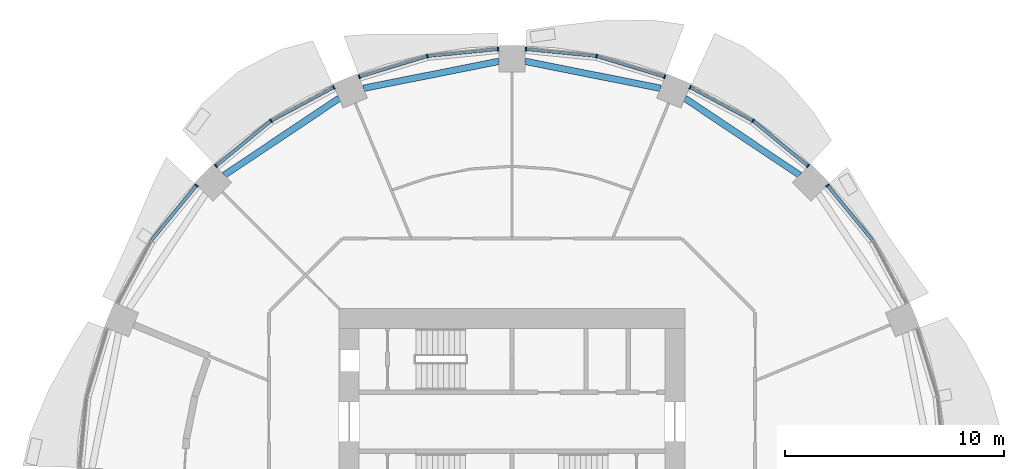
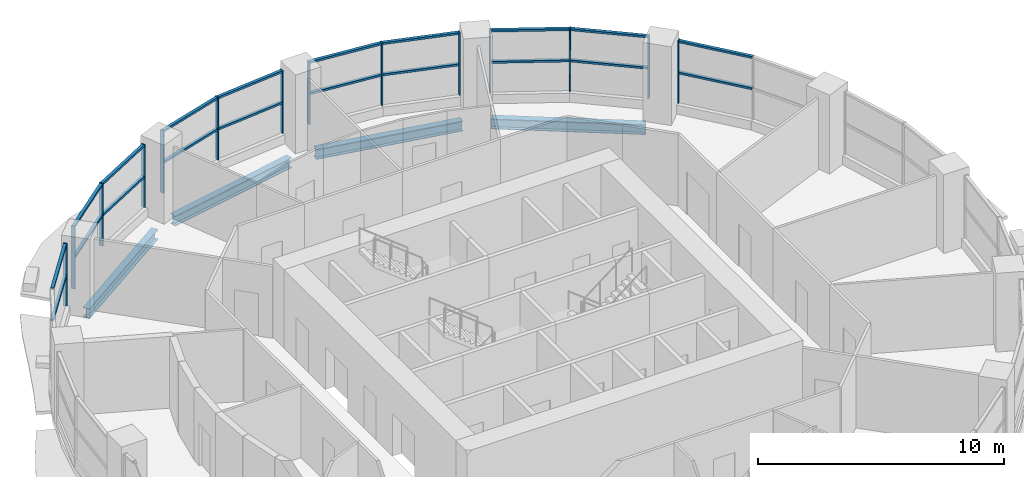
# One storey, part 5 of 15: 34 members, 4 beams, 6 elements without a shape of their own.
"""IFC4 building model written with IfcOpenShell, lengths in metres."""

import ifcopenshell
import ifcopenshell.guid

model = None  # the IFC model being written
_history = None  # IfcOwnerHistory: only IFC2X3 demands one
_inside = {}  # id of a spatial element -> (the spatial element, [elements in it])
_under = {}  # id of a project, library or spatial element -> (it, [spatial elements below it])
_declared = {}  # id of a project -> (the project, [libraries it declares])
_typed = {}  # id of a type object -> (the type object, [elements of that type])
_made_of = {}  # id of a material, layer set ... -> (it, [elements and type objects made of it])


def new_model(schema):
    """Start an empty IFC model of exactly this schema.

    Asked for "IFC4X3", IfcOpenShell would pick the latest addendum, in which some entities
    have other attributes; the version numbers below select the first issue.
    IFC2X3 requires an IfcOwnerHistory on every rooted entity: one is made here for all.
    """
    global model, _history
    if schema == "IFC4X3":
        model = ifcopenshell.file(schema_version=(4, 3, 0, 0))
    else:
        model = ifcopenshell.file(schema=schema)
    _inside.clear()
    _under.clear()
    _declared.clear()
    _typed.clear()
    _made_of.clear()
    _history = None
    if model.schema == "IFC2X3":
        org = make("IfcOrganization", Name="unknown")
        user = make(
            "IfcPersonAndOrganization",
            ThePerson=make("IfcPerson", FamilyName="unknown"),
            TheOrganization=org,
        )
        app = make(
            "IfcApplication",
            ApplicationDeveloper=org,
            Version="unknown",
            ApplicationFullName="unknown",
            ApplicationIdentifier="unknown",
        )
        _history = make(
            "IfcOwnerHistory",
            OwningUser=user,
            OwningApplication=app,
            ChangeAction="ADDED",
            CreationDate=0,
        )
    return model


def make(cls, **values):
    """One entity of the class cls with the attributes given. An attribute that is None is left unset."""
    return model.create_entity(
        cls, **{name: value for name, value in values.items() if value is not None}
    )


def rooted(cls, **values):
    """An entity with a GlobalId (a new one), such as an element, a storey or a relation."""
    return make(cls, GlobalId=ifcopenshell.guid.new(), OwnerHistory=_history, **values)


def si_unit(unit_type, name, prefix=None):
    """IfcSIUnit, for example si_unit("LENGTHUNIT", "METRE", prefix="MILLI")."""
    return make("IfcSIUnit", UnitType=unit_type, Prefix=prefix, Name=name)


def assignment(units):
    """IfcUnitAssignment: the units of a project."""
    return None if units is None else make("IfcUnitAssignment", Units=units)


def point(xyz):
    """IfcCartesianPoint."""
    return None if xyz is None else make("IfcCartesianPoint", Coordinates=xyz)


def direction(xyz):
    """IfcDirection."""
    return None if xyz is None else make("IfcDirection", DirectionRatios=xyz)


def frame(location, z_axis=None, x_axis=None):
    """IfcAxis2Placement3D, a coordinate frame: its origin and axes. An axis left out is left unset."""
    return make(
        "IfcAxis2Placement3D",
        Location=point(location),
        Axis=direction(z_axis),
        RefDirection=direction(x_axis),
    )


def frame_2d(location, x_axis=None):
    """IfcAxis2Placement2D, a coordinate frame in the plane: its origin and x axis."""
    return make(
        "IfcAxis2Placement2D", Location=point(location), RefDirection=direction(x_axis)
    )


def origin():
    """The frame at (0, 0, 0) with its axes left unset."""
    return frame((0.0, 0.0, 0.0))


def origin_2d():
    """The frame at (0, 0) in the plane with its x axis left unset."""
    return frame_2d((0.0, 0.0))


def place(relative_to, where):
    """IfcLocalPlacement: puts the frame where relative to a parent placement (None: the world)."""
    return make(
        "IfcLocalPlacement", PlacementRelTo=relative_to, RelativePlacement=where
    )


def context(
    kind, dimensions, precision=None, world=None, true_north=None, identifier=None
):
    """IfcGeometricRepresentationContext, for example the 3D "Model" context."""
    return make(
        "IfcGeometricRepresentationContext",
        ContextIdentifier=identifier,
        ContextType=kind,
        CoordinateSpaceDimension=dimensions,
        Precision=precision,
        WorldCoordinateSystem=world,
        TrueNorth=true_north,
    )


def subcontext(parent, identifier, kind, view, scale=None):
    """IfcGeometricRepresentationSubContext, for example "Body" below "Model"."""
    return make(
        "IfcGeometricRepresentationSubContext",
        ContextIdentifier=identifier,
        ContextType=kind,
        ParentContext=parent,
        TargetScale=scale,
        TargetView=view,
    )


def project(units=None, contexts=None):
    """IfcProject with its units and contexts."""
    return rooted(
        "IfcProject",
        Name="project",
        RepresentationContexts=contexts,
        UnitsInContext=assignment(units),
    )


def spatial(cls, under=None, at=None, **own):
    """A site, building, storey or space (cls), placed at a placement, below another one or the project."""
    s = rooted(cls, ObjectPlacement=at, **own)
    if under is not None:
        _under.setdefault(under.id(), (under, []))[1].append(s)
    return s


def profile(cls, at=None, kind="AREA", **sizes):
    """A parametric profile (cls). Its sizes go by their IFC names, for example OverallWidth=200.0."""
    return make(cls, ProfileType=kind, Position=at, **sizes)


def rectangle(**sizes):
    """IfcRectangleProfileDef."""
    return profile("IfcRectangleProfileDef", **sizes)


def i_section(**sizes):
    """IfcIShapeProfileDef."""
    return profile("IfcIShapeProfileDef", **sizes)


def extrude(swept, where, along, depth):
    """IfcExtrudedAreaSolid: the profile swept, set in the frame where, extruded along a direction by depth."""
    return make(
        "IfcExtrudedAreaSolid",
        SweptArea=swept,
        Position=where,
        ExtrudedDirection=direction(along),
        Depth=depth,
    )


def shape(context_of_items, identifier, shape_type, items):
    """IfcShapeRepresentation: the items that make up one representation, for example the "Body"."""
    return make(
        "IfcShapeRepresentation",
        ContextOfItems=context_of_items,
        RepresentationIdentifier=identifier,
        RepresentationType=shape_type,
        Items=items,
    )


def material(Name=None, Category=None):
    """IfcMaterial."""
    return make("IfcMaterial", Name=Name, Category=Category)


def material_profile(
    of_material, cross_section, Name=None, Category=None, Priority=None
):
    """IfcMaterialProfile: a cross section and its material."""
    return make(
        "IfcMaterialProfile",
        Name=Name,
        Material=of_material,
        Profile=cross_section,
        Priority=Priority,
        Category=Category,
    )


def profile_set(profiles, Name=None, composite=None):
    """IfcMaterialProfileSet."""
    return make(
        "IfcMaterialProfileSet",
        Name=Name,
        MaterialProfiles=profiles,
        CompositeProfile=composite,
    )


def made_of(thing, what):
    """Note that an element or type object is made of a material, layer set ...; save() writes the relation."""
    if what is not None:
        _made_of.setdefault(what.id(), (what, []))[1].append(thing)
    return thing


def type_object(cls, material=None, **own):
    """A type object (cls), such as IfcWallType, which elements share."""
    return made_of(rooted(cls, **own), material)


def element(
    cls,
    number,
    at=None,
    inside=None,
    cuts=None,
    type_object=None,
    material=None,
    context=None,
    identifier="Body",
    shape_type=None,
    held_by="IfcProductDefinitionShape",
    body=None,
    shapes=None,
    **own,
):
    """One element of the class cls, such as IfcWall. Its Tag is "e" and its number.

    at: its placement. inside: the storey or other place that contains it. cuts: it is an
    opening in that element (IfcRelVoidsElement). A single representation is given by context,
    identifier, shape_type and body (its items); several are given by shapes. held_by: the class
    of the entity that holds the representations. save() writes the other relations.
    """
    e = rooted(cls, Tag="e%d" % number, ObjectPlacement=at, **own)
    if body is not None:
        shapes = [shape(context, identifier, shape_type, body)]
    if shapes is not None:
        e.Representation = make(held_by, Representations=shapes)
    if inside is not None:
        _inside.setdefault(inside.id(), (inside, []))[1].append(e)
    if cuts is not None:
        rooted(
            "IfcRelVoidsElement", RelatingBuildingElement=cuts, RelatedOpeningElement=e
        )
    if type_object is not None:
        _typed.setdefault(type_object.id(), (type_object, []))[1].append(e)
    return made_of(e, material)


def aggregate(whole, parts):
    """IfcRelAggregates: a whole, such as a stair, and the parts it consists of."""
    return rooted("IfcRelAggregates", RelatingObject=whole, RelatedObjects=parts)


def save(model, path):
    """Write the relations noted so far, then the file.

    IfcRelAggregates (storeys below a building ...), IfcRelContainedInSpatialStructure (elements
    in a storey), IfcRelDefinesByType, IfcRelAssociatesMaterial and IfcRelDeclares: one each for
    every whole, place, type object, material and project.
    """
    for whole, parts in _under.values():
        aggregate(whole, parts)
    for where, things in _inside.values():
        rooted(
            "IfcRelContainedInSpatialStructure",
            RelatedElements=things,
            RelatingStructure=where,
        )
    for kind, things in _typed.values():
        rooted("IfcRelDefinesByType", RelatedObjects=things, RelatingType=kind)
    for what, things in _made_of.values():
        rooted("IfcRelAssociatesMaterial", RelatedObjects=things, RelatingMaterial=what)
    for by, libraries in _declared.values():
        rooted("IfcRelDeclares", RelatingContext=by, RelatedDefinitions=libraries)
    model.write(path)


model = new_model("IFC4")

# Units and contexts
model_context = context("Model", 3, precision=1e-05, world=origin(), true_north=direction((0.0, 1.0)))
body_context = subcontext(model_context, "Body", "Model", "MODEL_VIEW")
ifc_project = project(units=[si_unit("LENGTHUNIT", "METRE"), si_unit("AREAUNIT", "SQUARE_METRE"), si_unit("VOLUMEUNIT", "CUBIC_METRE"), si_unit("PLANEANGLEUNIT", "RADIAN"), si_unit("MASSUNIT", "GRAM", prefix="KILO")], contexts=[model_context])

# Site, building, storey
site_placement = place(None, origin())
site = spatial("IfcSite", under=ifc_project, at=site_placement, CompositionType="ELEMENT")
building_placement = place(site_placement, origin())
building = spatial("IfcBuilding", under=site, at=building_placement, Name="Polderwave Tower", CompositionType="ELEMENT")
storey_placement = place(building_placement, frame((0.0, 0.0, 18.5)))
storey = spatial("IfcBuildingStorey", under=building, at=storey_placement, Name="L04", CompositionType="ELEMENT", Elevation=18.5)

# Beams
ifc_material_1 = material(Name="Steel S355", Category="steel")
ifc_material_profile_1 = material_profile(ifc_material_1, i_section(OverallWidth=0.300048828125, OverallDepth=0.5, WebThickness=0.014404296875, FlangeThickness=0.028076171875, at=origin_2d()), Name="HE 500 B")
ifc_profile_set_1 = profile_set([ifc_material_profile_1], Name="Steel S355")
beam_type = type_object("IfcBeamType", Name="RING BEAM HE 500 B", PredefinedType="BEAM", material=ifc_profile_set_1)
for number, where, z_axis, x_axis, name in (
    (1, (13.110107421875, 13.958740234375, -0.64990234375), (-0.831458775767, 0.555586450698, 0.0), (-0.555586450698, -0.831458775767, 0.0), "ST-RB-L04-02"),
    (2, (6.7705078125, 17.913330078125, -0.64990234375), (-0.980787590871, 0.195078706153, 0.0), (-0.195078706153, -0.980787590871, 0.0), "ST-RB-L04-03"),
    (3, (-0.60009765625, 19.140625, -0.64990234375), (-0.980787590871, -0.195078706153, 0.0), (0.195078706153, -0.980787590871, 0.0), "ST-RB-L04-04"),
    (4, (-7.879150390625, 17.4541015625, -0.64990234375), (-0.831458775767, -0.555586450698, 0.0), (0.555586450698, -0.831458775767, 0.0), "ST-RB-L04-05"),
):
    element("IfcBeam", number, at=place(storey_placement, frame(where, z_axis=z_axis, x_axis=x_axis)), inside=storey, type_object=beam_type, Name=name, PredefinedType="BEAM", context=body_context, shape_type="SweptSolid", body=[
        extrude(i_section(OverallWidth=0.300048828125, OverallDepth=0.5, WebThickness=0.014404296875, FlangeThickness=0.028076171875, at=origin_2d()), origin(), (0.0, 0.0, 1.0), 6.291259765625),
    ])

# Curtain wall, member
ifc_material_2 = material(Name="Aluminium 6063-T6 and glass", Category="aluminium")
curtain_wall_type = type_object("IfcCurtainWallType", Name="Shopfront glazing wall", PredefinedType="NOTDEFINED", material=ifc_material_2)
curtain_wall_1_placement = place(storey_placement, origin())
curtain_wall_1 = element("IfcCurtainWall", 5, at=curtain_wall_1_placement, inside=storey, type_object=curtain_wall_type, Name="CW1 L04 01", PredefinedType="NOTDEFINED")
ifc_material_3 = material(Name="Aluminium 6063-T6", Category="aluminium")
ifc_material_profile_2 = material_profile(ifc_material_3, rectangle(XDim=0.179931640625, YDim=0.06005859375, at=origin_2d()), Name="AL 60x180")
ifc_profile_set_2 = profile_set([ifc_material_profile_2], Name="Aluminium 6063-T6")
member_type_1 = type_object("IfcMemberType", Name="Shopfront glazing mullion 60x180", PredefinedType="MULLION", material=ifc_profile_set_2)
member_1_placement = place(storey_placement, frame((14.3740234375, 13.48291015625, 0.449951171875), z_axis=(0.0, 0.0, 1.0), x_axis=(-0.772961733177, -0.634452645234, 0.0)))
member_1 = element("IfcMember", 6, at=member_1_placement, type_object=member_type_1, Name="CW1 mullion 3", PredefinedType="MULLION", context=body_context, shape_type="SweptSolid", body=[
    extrude(rectangle(XDim=0.179931640625, YDim=0.06005859375, at=origin_2d()), origin(), (0.0, 0.0, 1.0), 3.10009765625),
])

# Curtain wall, members
curtain_wall_2_placement = place(storey_placement, origin())
curtain_wall_2 = element("IfcCurtainWall", 7, at=curtain_wall_2_placement, inside=storey, type_object=curtain_wall_type, Name="CW1 L04 02", PredefinedType="NOTDEFINED")
member_2_placement = place(storey_placement, frame((13.48291015625, 14.3740234375, 0.449951171875), z_axis=(0.0, 0.0, 1.0), x_axis=(-0.634452645234, -0.772961733177, 0.0)))
member_2 = element("IfcMember", 8, at=member_2_placement, type_object=member_type_1, Name="CW1 mullion 1", PredefinedType="MULLION", context=body_context, shape_type="SweptSolid", body=[
    extrude(rectangle(XDim=0.179931640625, YDim=0.06005859375, at=origin_2d()), origin(), (0.0, 0.0, 1.0), 3.10009765625),
])
member_3_placement = place(storey_placement, frame((10.97802734375, 16.429931640625, 0.449951171875), z_axis=(0.0, 0.0, 1.0), x_axis=(-0.555654399091, -0.83141336817, 0.0)))
member_3 = element("IfcMember", 9, at=member_3_placement, type_object=member_type_1, Name="CW1 mullion 2", PredefinedType="MULLION", context=body_context, shape_type="SweptSolid", body=[
    extrude(rectangle(XDim=0.179931640625, YDim=0.06005859375, at=origin_2d()), origin(), (0.0, 0.0, 1.0), 3.10009765625),
])
member_4_placement = place(storey_placement, frame((8.12060546875, 17.9580078125, 0.449951171875), z_axis=(0.0, 0.0, 1.0), x_axis=(-0.471509097737, -0.881861196987, 0.0)))
member_4 = element("IfcMember", 10, at=member_4_placement, type_object=member_type_1, Name="CW1 mullion 3", PredefinedType="MULLION", context=body_context, shape_type="SweptSolid", body=[
    extrude(rectangle(XDim=0.179931640625, YDim=0.06005859375, at=origin_2d()), origin(), (0.0, 0.0, 1.0), 3.10009765625),
])

curtain_wall_3_placement = place(storey_placement, origin())
curtain_wall_3 = element("IfcCurtainWall", 11, at=curtain_wall_3_placement, inside=storey, type_object=curtain_wall_type, Name="CW1 L04 03", PredefinedType="NOTDEFINED")
member_5_placement = place(storey_placement, frame((6.956298828125, 18.439697265625, 0.449951171875), z_axis=(0.0, 0.0, 1.0), x_axis=(-0.290151060348, -0.956980857791, 0.0)))
member_5 = element("IfcMember", 12, at=member_5_placement, type_object=member_type_1, Name="CW1 mullion 1", PredefinedType="MULLION", context=body_context, shape_type="SweptSolid", body=[
    extrude(rectangle(XDim=0.179931640625, YDim=0.06005859375, at=origin_2d()), origin(), (0.0, 0.0, 1.0), 3.10009765625),
])
member_6_placement = place(storey_placement, frame((3.85498046875, 19.3798828125, 0.449951171875), z_axis=(0.0, 0.0, 1.0), x_axis=(-0.195083474838, -0.980786642367, 0.0)))
member_6 = element("IfcMember", 13, at=member_6_placement, type_object=member_type_1, Name="CW1 mullion 2", PredefinedType="MULLION", context=body_context, shape_type="SweptSolid", body=[
    extrude(rectangle(XDim=0.179931640625, YDim=0.06005859375, at=origin_2d()), origin(), (0.0, 0.0, 1.0), 3.10009765625),
])
member_7_placement = place(storey_placement, frame((0.6298828125, 19.697998046875, 0.449951171875), z_axis=(0.0, 0.0, 1.0), x_axis=(-0.098142198156, -0.995172401617, 0.0)))
member_7 = element("IfcMember", 14, at=member_7_placement, type_object=member_type_1, Name="CW1 mullion 3", PredefinedType="MULLION", context=body_context, shape_type="SweptSolid", body=[
    extrude(rectangle(XDim=0.179931640625, YDim=0.06005859375, at=origin_2d()), origin(), (0.0, 0.0, 1.0), 3.10009765625),
])

curtain_wall_4_placement = place(storey_placement, origin())
curtain_wall_4 = element("IfcCurtainWall", 15, at=curtain_wall_4_placement, inside=storey, type_object=curtain_wall_type, Name="CW1 L04 04", PredefinedType="NOTDEFINED")
member_8_placement = place(storey_placement, frame((-0.6298828125, 19.697998046875, 0.449951171875), z_axis=(0.0, 0.0, 1.0), x_axis=(0.098142198156, -0.995172401617, 0.0)))
member_8 = element("IfcMember", 16, at=member_8_placement, type_object=member_type_1, Name="CW1 mullion 1", PredefinedType="MULLION", context=body_context, shape_type="SweptSolid", body=[
    extrude(rectangle(XDim=0.179931640625, YDim=0.06005859375, at=origin_2d()), origin(), (0.0, 0.0, 1.0), 3.10009765625),
])
member_9_placement = place(storey_placement, frame((-3.85498046875, 19.3798828125, 0.449951171875), z_axis=(0.0, 0.0, 1.0), x_axis=(0.195083474838, -0.980786642367, 0.0)))
member_9 = element("IfcMember", 17, at=member_9_placement, type_object=member_type_1, Name="CW1 mullion 2", PredefinedType="MULLION", context=body_context, shape_type="SweptSolid", body=[
    extrude(rectangle(XDim=0.179931640625, YDim=0.06005859375, at=origin_2d()), origin(), (0.0, 0.0, 1.0), 3.10009765625),
])
member_10_placement = place(storey_placement, frame((-6.956298828125, 18.439697265625, 0.449951171875), z_axis=(0.0, 0.0, 1.0), x_axis=(0.290151060348, -0.956980857791, 0.0)))
member_10 = element("IfcMember", 18, at=member_10_placement, type_object=member_type_1, Name="CW1 mullion 3", PredefinedType="MULLION", context=body_context, shape_type="SweptSolid", body=[
    extrude(rectangle(XDim=0.179931640625, YDim=0.06005859375, at=origin_2d()), origin(), (0.0, 0.0, 1.0), 3.10009765625),
])

curtain_wall_5_placement = place(storey_placement, origin())
curtain_wall_5 = element("IfcCurtainWall", 19, at=curtain_wall_5_placement, inside=storey, type_object=curtain_wall_type, Name="CW1 L04 05", PredefinedType="NOTDEFINED")
member_11_placement = place(storey_placement, frame((-8.12060546875, 17.9580078125, 0.449951171875), z_axis=(0.0, 0.0, 1.0), x_axis=(0.471509097737, -0.881861196987, 0.0)))
member_11 = element("IfcMember", 20, at=member_11_placement, type_object=member_type_1, Name="CW1 mullion 1", PredefinedType="MULLION", context=body_context, shape_type="SweptSolid", body=[
    extrude(rectangle(XDim=0.179931640625, YDim=0.06005859375, at=origin_2d()), origin(), (0.0, 0.0, 1.0), 3.10009765625),
])
member_12_placement = place(storey_placement, frame((-10.97802734375, 16.429931640625, 0.449951171875), z_axis=(0.0, 0.0, 1.0), x_axis=(0.555654399091, -0.83141336817, 0.0)))
member_12 = element("IfcMember", 21, at=member_12_placement, type_object=member_type_1, Name="CW1 mullion 2", PredefinedType="MULLION", context=body_context, shape_type="SweptSolid", body=[
    extrude(rectangle(XDim=0.179931640625, YDim=0.06005859375, at=origin_2d()), origin(), (0.0, 0.0, 1.0), 3.10009765625),
])
member_13_placement = place(storey_placement, frame((-13.48291015625, 14.3740234375, 0.449951171875), z_axis=(0.0, 0.0, 1.0), x_axis=(0.634452645234, -0.772961733177, 0.0)))
member_13 = element("IfcMember", 22, at=member_13_placement, type_object=member_type_1, Name="CW1 mullion 3", PredefinedType="MULLION", context=body_context, shape_type="SweptSolid", body=[
    extrude(rectangle(XDim=0.179931640625, YDim=0.06005859375, at=origin_2d()), origin(), (0.0, 0.0, 1.0), 3.10009765625),
])

# Curtain wall, member
curtain_wall_6_placement = place(storey_placement, origin())
curtain_wall_6 = element("IfcCurtainWall", 23, at=curtain_wall_6_placement, inside=storey, type_object=curtain_wall_type, Name="CW1 L04 06", PredefinedType="NOTDEFINED")
member_14_placement = place(storey_placement, frame((-14.3740234375, 13.48291015625, 0.449951171875), z_axis=(0.0, 0.0, 1.0), x_axis=(0.772961733177, -0.634452645234, 0.0)))
member_14 = element("IfcMember", 24, at=member_14_placement, type_object=member_type_1, Name="CW1 mullion 1", PredefinedType="MULLION", context=body_context, shape_type="SweptSolid", body=[
    extrude(rectangle(XDim=0.179931640625, YDim=0.06005859375, at=origin_2d()), origin(), (0.0, 0.0, 1.0), 3.10009765625),
])

# Member
ifc_material_profile_3 = material_profile(ifc_material_3, rectangle(XDim=0.139892578125, YDim=0.10009765625, at=origin_2d()), Name="AL 100x140")
ifc_profile_set_3 = profile_set([ifc_material_profile_3], Name="Aluminium 6063-T6")
member_type_2 = type_object("IfcMemberType", Name="Shopfront glazing transom 100x140", PredefinedType="USERDEFINED", material=ifc_profile_set_3)
member_15_placement = place(storey_placement, frame((16.410888671875, 11.001220703125, 1.949951171875), z_axis=(-0.634428353152, 0.772981671656, 0.0), x_axis=(-0.772981671656, -0.634428353152, 0.0)))
member_15 = element("IfcMember", 25, at=member_15_placement, type_object=member_type_2, Name="CW1 transom 3", ObjectType="TRANSOM", PredefinedType="USERDEFINED", context=body_context, shape_type="SweptSolid", body=[
    extrude(rectangle(XDim=0.139892578125, YDim=0.10009765625, at=origin_2d()), origin(), (0.0, 0.0, 1.0), 3.180419921875),
])

member_16_placement = place(storey_placement, frame((16.410888671875, 11.001220703125, 3.5), z_axis=(-0.634428353152, 0.772981671656, 0.0), x_axis=(-0.772981671656, -0.634428353152, 0.0)))
member_16 = element("IfcMember", 26, at=member_16_placement, type_object=member_type_2, Name="CW1 transom 4", ObjectType="TRANSOM", PredefinedType="USERDEFINED", context=body_context, shape_type="SweptSolid", body=[
    extrude(rectangle(XDim=0.139892578125, YDim=0.10009765625, at=origin_2d()), origin(), (0.0, 0.0, 1.0), 3.180419921875),
])

aggregate(curtain_wall_1, [member_1, member_15, member_16])

member_17_placement = place(storey_placement, frame((13.459716796875, 14.39306640625, 1.949951171875), z_axis=(-0.772981671656, 0.634428353152, 0.0), x_axis=(-0.634428353152, -0.772981671656, 0.0)))
member_17 = element("IfcMember", 27, at=member_17_placement, type_object=member_type_2, Name="CW1 transom 1", ObjectType="TRANSOM", PredefinedType="USERDEFINED", context=body_context, shape_type="SweptSolid", body=[
    extrude(rectangle(XDim=0.139892578125, YDim=0.10009765625, at=origin_2d()), origin(), (0.0, 0.0, 1.0), 3.180419921875),
])

member_18_placement = place(storey_placement, frame((13.459716796875, 14.39306640625, 3.5), z_axis=(-0.772981671656, 0.634428353152, 0.0), x_axis=(-0.634428353152, -0.772981671656, 0.0)))
member_18 = element("IfcMember", 28, at=member_18_placement, type_object=member_type_2, Name="CW1 transom 2", ObjectType="TRANSOM", PredefinedType="USERDEFINED", context=body_context, shape_type="SweptSolid", body=[
    extrude(rectangle(XDim=0.139892578125, YDim=0.10009765625, at=origin_2d()), origin(), (0.0, 0.0, 1.0), 3.180419921875),
])

member_19_placement = place(storey_placement, frame((10.951416015625, 16.444091796875, 1.949951171875), z_axis=(-0.881855171225, 0.471520367517, 0.0), x_axis=(-0.471520367517, -0.881855171225, 0.0)))
member_19 = element("IfcMember", 29, at=member_19_placement, type_object=member_type_2, Name="CW1 transom 3", ObjectType="TRANSOM", PredefinedType="USERDEFINED", context=body_context, shape_type="SweptSolid", body=[
    extrude(rectangle(XDim=0.139892578125, YDim=0.10009765625, at=origin_2d()), origin(), (0.0, 0.0, 1.0), 3.18017578125),
])

member_20_placement = place(storey_placement, frame((10.951416015625, 16.444091796875, 3.5), z_axis=(-0.881855171225, 0.471520367517, 0.0), x_axis=(-0.471520367517, -0.881855171225, 0.0)))
member_20 = element("IfcMember", 30, at=member_20_placement, type_object=member_type_2, Name="CW1 transom 4", ObjectType="TRANSOM", PredefinedType="USERDEFINED", context=body_context, shape_type="SweptSolid", body=[
    extrude(rectangle(XDim=0.139892578125, YDim=0.10009765625, at=origin_2d()), origin(), (0.0, 0.0, 1.0), 3.18017578125),
])

aggregate(curtain_wall_2, [member_2, member_3, member_4, member_17, member_18, member_19, member_20])

member_21_placement = place(storey_placement, frame((6.927490234375, 18.448486328125, 1.949951171875), z_axis=(-0.956979201317, 0.290156523701, 0.0), x_axis=(-0.290156523701, -0.956979201317, 0.0)))
member_21 = element("IfcMember", 31, at=member_21_placement, type_object=member_type_2, Name="CW1 transom 1", ObjectType="TRANSOM", PredefinedType="USERDEFINED", context=body_context, shape_type="SweptSolid", body=[
    extrude(rectangle(XDim=0.139892578125, YDim=0.10009765625, at=origin_2d()), origin(), (0.0, 0.0, 1.0), 3.180419921875),
])

member_22_placement = place(storey_placement, frame((6.927490234375, 18.448486328125, 3.5), z_axis=(-0.956979201317, 0.290156523701, 0.0), x_axis=(-0.290156523701, -0.956979201317, 0.0)))
member_22 = element("IfcMember", 32, at=member_22_placement, type_object=member_type_2, Name="CW1 transom 2", ObjectType="TRANSOM", PredefinedType="USERDEFINED", context=body_context, shape_type="SweptSolid", body=[
    extrude(rectangle(XDim=0.139892578125, YDim=0.10009765625, at=origin_2d()), origin(), (0.0, 0.0, 1.0), 3.180419921875),
])

member_23_placement = place(storey_placement, frame((3.8251953125, 19.3828125, 1.949951171875), z_axis=(-0.995170037886, 0.098166163694, 0.0), x_axis=(-0.098166163694, -0.995170037886, 0.0)))
member_23 = element("IfcMember", 33, at=member_23_placement, type_object=member_type_2, Name="CW1 transom 3", ObjectType="TRANSOM", PredefinedType="USERDEFINED", context=body_context, shape_type="SweptSolid", body=[
    extrude(rectangle(XDim=0.139892578125, YDim=0.10009765625, at=origin_2d()), origin(), (0.0, 0.0, 1.0), 3.180908203125),
])

member_24_placement = place(storey_placement, frame((3.8251953125, 19.3828125, 3.5), z_axis=(-0.995170037886, 0.098166163694, 0.0), x_axis=(-0.098166163694, -0.995170037886, 0.0)))
member_24 = element("IfcMember", 34, at=member_24_placement, type_object=member_type_2, Name="CW1 transom 4", ObjectType="TRANSOM", PredefinedType="USERDEFINED", context=body_context, shape_type="SweptSolid", body=[
    extrude(rectangle(XDim=0.139892578125, YDim=0.10009765625, at=origin_2d()), origin(), (0.0, 0.0, 1.0), 3.180908203125),
])

aggregate(curtain_wall_3, [member_5, member_6, member_7, member_21, member_22, member_23, member_24])

member_25_placement = place(storey_placement, frame((-0.65966796875, 19.695068359375, 1.949951171875), z_axis=(-0.995170037886, -0.098166163694, 0.0), x_axis=(0.098166163694, -0.995170037886, 0.0)))
member_25 = element("IfcMember", 35, at=member_25_placement, type_object=member_type_2, Name="CW1 transom 1", ObjectType="TRANSOM", PredefinedType="USERDEFINED", context=body_context, shape_type="SweptSolid", body=[
    extrude(rectangle(XDim=0.139892578125, YDim=0.10009765625, at=origin_2d()), origin(), (0.0, 0.0, 1.0), 3.180908203125),
])

member_26_placement = place(storey_placement, frame((-0.65966796875, 19.695068359375, 3.5), z_axis=(-0.995170037886, -0.098166163694, 0.0), x_axis=(0.098166163694, -0.995170037886, 0.0)))
member_26 = element("IfcMember", 36, at=member_26_placement, type_object=member_type_2, Name="CW1 transom 2", ObjectType="TRANSOM", PredefinedType="USERDEFINED", context=body_context, shape_type="SweptSolid", body=[
    extrude(rectangle(XDim=0.139892578125, YDim=0.10009765625, at=origin_2d()), origin(), (0.0, 0.0, 1.0), 3.180908203125),
])

member_27_placement = place(storey_placement, frame((-3.8837890625, 19.371337890625, 1.949951171875), z_axis=(-0.956979201317, -0.290156523701, 0.0), x_axis=(0.290156523701, -0.956979201317, 0.0)))
member_27 = element("IfcMember", 37, at=member_27_placement, type_object=member_type_2, Name="CW1 transom 3", ObjectType="TRANSOM", PredefinedType="USERDEFINED", context=body_context, shape_type="SweptSolid", body=[
    extrude(rectangle(XDim=0.139892578125, YDim=0.10009765625, at=origin_2d()), origin(), (0.0, 0.0, 1.0), 3.180419921875),
])

member_28_placement = place(storey_placement, frame((-3.8837890625, 19.371337890625, 3.5), z_axis=(-0.956979201317, -0.290156523701, 0.0), x_axis=(0.290156523701, -0.956979201317, 0.0)))
member_28 = element("IfcMember", 38, at=member_28_placement, type_object=member_type_2, Name="CW1 transom 4", ObjectType="TRANSOM", PredefinedType="USERDEFINED", context=body_context, shape_type="SweptSolid", body=[
    extrude(rectangle(XDim=0.139892578125, YDim=0.10009765625, at=origin_2d()), origin(), (0.0, 0.0, 1.0), 3.180419921875),
])

aggregate(curtain_wall_4, [member_8, member_9, member_10, member_25, member_26, member_27, member_28])

member_29_placement = place(storey_placement, frame((-8.14697265625, 17.943603515625, 1.949951171875), z_axis=(-0.881855171225, -0.471520367517, 0.0), x_axis=(0.471520367517, -0.881855171225, 0.0)))
member_29 = element("IfcMember", 39, at=member_29_placement, type_object=member_type_2, Name="CW1 transom 1", ObjectType="TRANSOM", PredefinedType="USERDEFINED", context=body_context, shape_type="SweptSolid", body=[
    extrude(rectangle(XDim=0.139892578125, YDim=0.10009765625, at=origin_2d()), origin(), (0.0, 0.0, 1.0), 3.18017578125),
])

member_30_placement = place(storey_placement, frame((-8.14697265625, 17.943603515625, 3.5), z_axis=(-0.881855171225, -0.471520367517, 0.0), x_axis=(0.471520367517, -0.881855171225, 0.0)))
member_30 = element("IfcMember", 40, at=member_30_placement, type_object=member_type_2, Name="CW1 transom 2", ObjectType="TRANSOM", PredefinedType="USERDEFINED", context=body_context, shape_type="SweptSolid", body=[
    extrude(rectangle(XDim=0.139892578125, YDim=0.10009765625, at=origin_2d()), origin(), (0.0, 0.0, 1.0), 3.18017578125),
])

member_31_placement = place(storey_placement, frame((-11.001220703125, 16.410888671875, 1.949951171875), z_axis=(-0.772981671656, -0.634428353152, 0.0), x_axis=(0.634428353152, -0.772981671656, 0.0)))
member_31 = element("IfcMember", 41, at=member_31_placement, type_object=member_type_2, Name="CW1 transom 3", ObjectType="TRANSOM", PredefinedType="USERDEFINED", context=body_context, shape_type="SweptSolid", body=[
    extrude(rectangle(XDim=0.139892578125, YDim=0.10009765625, at=origin_2d()), origin(), (0.0, 0.0, 1.0), 3.180419921875),
])

member_32_placement = place(storey_placement, frame((-11.001220703125, 16.410888671875, 3.5), z_axis=(-0.772981671656, -0.634428353152, 0.0), x_axis=(0.634428353152, -0.772981671656, 0.0)))
member_32 = element("IfcMember", 42, at=member_32_placement, type_object=member_type_2, Name="CW1 transom 4", ObjectType="TRANSOM", PredefinedType="USERDEFINED", context=body_context, shape_type="SweptSolid", body=[
    extrude(rectangle(XDim=0.139892578125, YDim=0.10009765625, at=origin_2d()), origin(), (0.0, 0.0, 1.0), 3.180419921875),
])

aggregate(curtain_wall_5, [member_11, member_12, member_13, member_29, member_30, member_31, member_32])

member_33_placement = place(storey_placement, frame((-14.39306640625, 13.459716796875, 1.949951171875), z_axis=(-0.634428353152, -0.772981671656, 0.0), x_axis=(0.772981671656, -0.634428353152, 0.0)))
member_33 = element("IfcMember", 43, at=member_33_placement, type_object=member_type_2, Name="CW1 transom 1", ObjectType="TRANSOM", PredefinedType="USERDEFINED", context=body_context, shape_type="SweptSolid", body=[
    extrude(rectangle(XDim=0.139892578125, YDim=0.10009765625, at=origin_2d()), origin(), (0.0, 0.0, 1.0), 3.180419921875),
])

member_34_placement = place(storey_placement, frame((-14.39306640625, 13.459716796875, 3.5), z_axis=(-0.634428353152, -0.772981671656, 0.0), x_axis=(0.772981671656, -0.634428353152, 0.0)))
member_34 = element("IfcMember", 44, at=member_34_placement, type_object=member_type_2, Name="CW1 transom 2", ObjectType="TRANSOM", PredefinedType="USERDEFINED", context=body_context, shape_type="SweptSolid", body=[
    extrude(rectangle(XDim=0.139892578125, YDim=0.10009765625, at=origin_2d()), origin(), (0.0, 0.0, 1.0), 3.180419921875),
])

aggregate(curtain_wall_6, [member_14, member_33, member_34])

save(model, "model.ifc")
